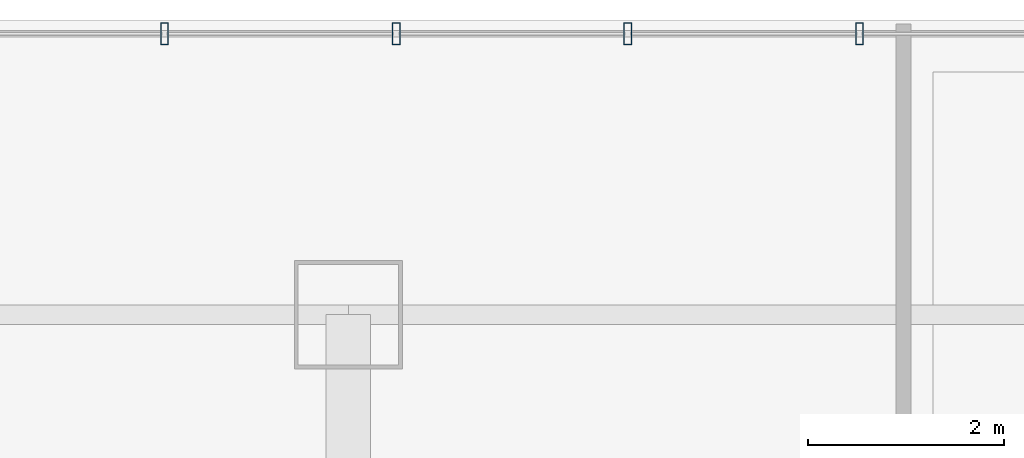
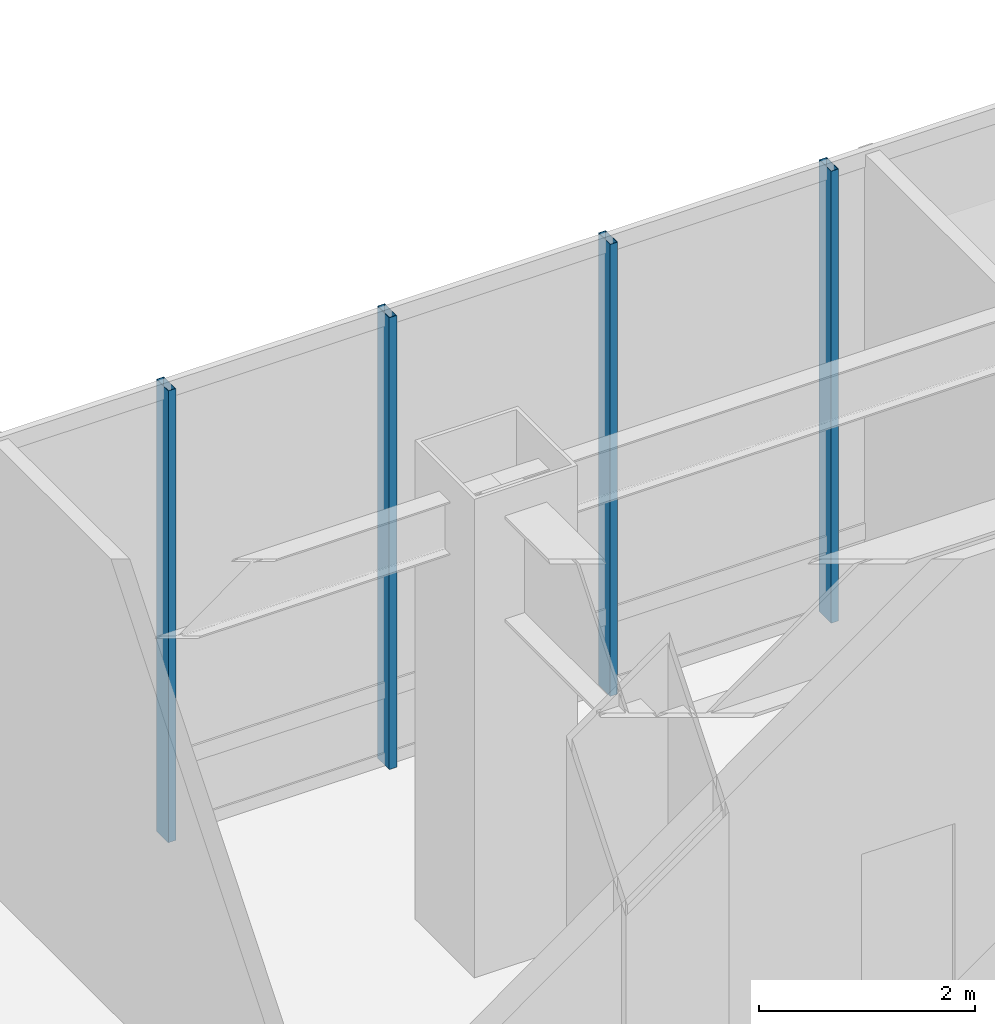
# One storey, part 18 of 35: 4 members, 1 element without a shape of its own.
"""IFC4 building model written with IfcOpenShell, lengths in metres."""

import ifcopenshell
import ifcopenshell.guid

model = None  # the IFC model being written
_history = None  # IfcOwnerHistory: only IFC2X3 demands one
_inside = {}  # id of a spatial element -> (the spatial element, [elements in it])
_under = {}  # id of a project, library or spatial element -> (it, [spatial elements below it])
_declared = {}  # id of a project -> (the project, [libraries it declares])
_typed = {}  # id of a type object -> (the type object, [elements of that type])
_made_of = {}  # id of a material, layer set ... -> (it, [elements and type objects made of it])


def new_model(schema):
    """Start an empty IFC model of exactly this schema.

    Asked for "IFC4X3", IfcOpenShell would pick the latest addendum, in which some entities
    have other attributes; the version numbers below select the first issue.
    IFC2X3 requires an IfcOwnerHistory on every rooted entity: one is made here for all.
    """
    global model, _history
    if schema == "IFC4X3":
        model = ifcopenshell.file(schema_version=(4, 3, 0, 0))
    else:
        model = ifcopenshell.file(schema=schema)
    _inside.clear()
    _under.clear()
    _declared.clear()
    _typed.clear()
    _made_of.clear()
    _history = None
    if model.schema == "IFC2X3":
        org = make("IfcOrganization", Name="unknown")
        user = make(
            "IfcPersonAndOrganization",
            ThePerson=make("IfcPerson", FamilyName="unknown"),
            TheOrganization=org,
        )
        app = make(
            "IfcApplication",
            ApplicationDeveloper=org,
            Version="unknown",
            ApplicationFullName="unknown",
            ApplicationIdentifier="unknown",
        )
        _history = make(
            "IfcOwnerHistory",
            OwningUser=user,
            OwningApplication=app,
            ChangeAction="ADDED",
            CreationDate=0,
        )
    return model


def make(cls, **values):
    """One entity of the class cls with the attributes given. An attribute that is None is left unset."""
    return model.create_entity(
        cls, **{name: value for name, value in values.items() if value is not None}
    )


def rooted(cls, **values):
    """An entity with a GlobalId (a new one), such as an element, a storey or a relation."""
    return make(cls, GlobalId=ifcopenshell.guid.new(), OwnerHistory=_history, **values)


def si_unit(unit_type, name, prefix=None):
    """IfcSIUnit, for example si_unit("LENGTHUNIT", "METRE", prefix="MILLI")."""
    return make("IfcSIUnit", UnitType=unit_type, Prefix=prefix, Name=name)


def assignment(units):
    """IfcUnitAssignment: the units of a project."""
    return None if units is None else make("IfcUnitAssignment", Units=units)


def point(xyz):
    """IfcCartesianPoint."""
    return None if xyz is None else make("IfcCartesianPoint", Coordinates=xyz)


def direction(xyz):
    """IfcDirection."""
    return None if xyz is None else make("IfcDirection", DirectionRatios=xyz)


def frame(location, z_axis=None, x_axis=None):
    """IfcAxis2Placement3D, a coordinate frame: its origin and axes. An axis left out is left unset."""
    return make(
        "IfcAxis2Placement3D",
        Location=point(location),
        Axis=direction(z_axis),
        RefDirection=direction(x_axis),
    )


def frame_2d(location, x_axis=None):
    """IfcAxis2Placement2D, a coordinate frame in the plane: its origin and x axis."""
    return make(
        "IfcAxis2Placement2D", Location=point(location), RefDirection=direction(x_axis)
    )


def origin():
    """The frame at (0, 0, 0) with its axes left unset."""
    return frame((0.0, 0.0, 0.0))


def origin_2d():
    """The frame at (0, 0) in the plane with its x axis left unset."""
    return frame_2d((0.0, 0.0))


def place(relative_to, where):
    """IfcLocalPlacement: puts the frame where relative to a parent placement (None: the world)."""
    return make(
        "IfcLocalPlacement", PlacementRelTo=relative_to, RelativePlacement=where
    )


def context(
    kind, dimensions, precision=None, world=None, true_north=None, identifier=None
):
    """IfcGeometricRepresentationContext, for example the 3D "Model" context."""
    return make(
        "IfcGeometricRepresentationContext",
        ContextIdentifier=identifier,
        ContextType=kind,
        CoordinateSpaceDimension=dimensions,
        Precision=precision,
        WorldCoordinateSystem=world,
        TrueNorth=true_north,
    )


def subcontext(parent, identifier, kind, view, scale=None):
    """IfcGeometricRepresentationSubContext, for example "Body" below "Model"."""
    return make(
        "IfcGeometricRepresentationSubContext",
        ContextIdentifier=identifier,
        ContextType=kind,
        ParentContext=parent,
        TargetScale=scale,
        TargetView=view,
    )


def project(units=None, contexts=None):
    """IfcProject with its units and contexts."""
    return rooted(
        "IfcProject",
        Name="project",
        RepresentationContexts=contexts,
        UnitsInContext=assignment(units),
    )


def spatial(cls, under=None, at=None, **own):
    """A site, building, storey or space (cls), placed at a placement, below another one or the project."""
    s = rooted(cls, ObjectPlacement=at, **own)
    if under is not None:
        _under.setdefault(under.id(), (under, []))[1].append(s)
    return s


def profile(cls, at=None, kind="AREA", **sizes):
    """A parametric profile (cls). Its sizes go by their IFC names, for example OverallWidth=200.0."""
    return make(cls, ProfileType=kind, Position=at, **sizes)


def hollow_rectangle(**sizes):
    """IfcRectangleHollowProfileDef."""
    return profile("IfcRectangleHollowProfileDef", **sizes)


def extrude(swept, where, along, depth):
    """IfcExtrudedAreaSolid: the profile swept, set in the frame where, extruded along a direction by depth."""
    return make(
        "IfcExtrudedAreaSolid",
        SweptArea=swept,
        Position=where,
        ExtrudedDirection=direction(along),
        Depth=depth,
    )


def shape(context_of_items, identifier, shape_type, items):
    """IfcShapeRepresentation: the items that make up one representation, for example the "Body"."""
    return make(
        "IfcShapeRepresentation",
        ContextOfItems=context_of_items,
        RepresentationIdentifier=identifier,
        RepresentationType=shape_type,
        Items=items,
    )


def material(Name=None, Category=None):
    """IfcMaterial."""
    return make("IfcMaterial", Name=Name, Category=Category)


def layer(
    of_material, thickness, ventilated=None, Name=None, Category=None, Priority=None
):
    """IfcMaterialLayer: one layer of a wall or slab, of a material (None: an air gap)."""
    return make(
        "IfcMaterialLayer",
        Material=of_material,
        LayerThickness=thickness,
        IsVentilated=ventilated,
        Name=Name,
        Category=Category,
        Priority=Priority,
    )


def layer_set(layers, Name=None):
    """IfcMaterialLayerSet."""
    return make("IfcMaterialLayerSet", MaterialLayers=layers, LayerSetName=Name)


def material_profile(
    of_material, cross_section, Name=None, Category=None, Priority=None
):
    """IfcMaterialProfile: a cross section and its material."""
    return make(
        "IfcMaterialProfile",
        Name=Name,
        Material=of_material,
        Profile=cross_section,
        Priority=Priority,
        Category=Category,
    )


def profile_set(profiles, Name=None, composite=None):
    """IfcMaterialProfileSet."""
    return make(
        "IfcMaterialProfileSet",
        Name=Name,
        MaterialProfiles=profiles,
        CompositeProfile=composite,
    )


def made_of(thing, what):
    """Note that an element or type object is made of a material, layer set ...; save() writes the relation."""
    if what is not None:
        _made_of.setdefault(what.id(), (what, []))[1].append(thing)
    return thing


def type_object(cls, material=None, **own):
    """A type object (cls), such as IfcWallType, which elements share."""
    return made_of(rooted(cls, **own), material)


def element(
    cls,
    number,
    at=None,
    inside=None,
    cuts=None,
    type_object=None,
    material=None,
    context=None,
    identifier="Body",
    shape_type=None,
    held_by="IfcProductDefinitionShape",
    body=None,
    shapes=None,
    **own,
):
    """One element of the class cls, such as IfcWall. Its Tag is "e" and its number.

    at: its placement. inside: the storey or other place that contains it. cuts: it is an
    opening in that element (IfcRelVoidsElement). A single representation is given by context,
    identifier, shape_type and body (its items); several are given by shapes. held_by: the class
    of the entity that holds the representations. save() writes the other relations.
    """
    e = rooted(cls, Tag="e%d" % number, ObjectPlacement=at, **own)
    if body is not None:
        shapes = [shape(context, identifier, shape_type, body)]
    if shapes is not None:
        e.Representation = make(held_by, Representations=shapes)
    if inside is not None:
        _inside.setdefault(inside.id(), (inside, []))[1].append(e)
    if cuts is not None:
        rooted(
            "IfcRelVoidsElement", RelatingBuildingElement=cuts, RelatedOpeningElement=e
        )
    if type_object is not None:
        _typed.setdefault(type_object.id(), (type_object, []))[1].append(e)
    return made_of(e, material)


def aggregate(whole, parts):
    """IfcRelAggregates: a whole, such as a stair, and the parts it consists of."""
    return rooted("IfcRelAggregates", RelatingObject=whole, RelatedObjects=parts)


def save(model, path):
    """Write the relations noted so far, then the file.

    IfcRelAggregates (storeys below a building ...), IfcRelContainedInSpatialStructure (elements
    in a storey), IfcRelDefinesByType, IfcRelAssociatesMaterial and IfcRelDeclares: one each for
    every whole, place, type object, material and project.
    """
    for whole, parts in _under.values():
        aggregate(whole, parts)
    for where, things in _inside.values():
        rooted(
            "IfcRelContainedInSpatialStructure",
            RelatedElements=things,
            RelatingStructure=where,
        )
    for kind, things in _typed.values():
        rooted("IfcRelDefinesByType", RelatedObjects=things, RelatingType=kind)
    for what, things in _made_of.values():
        rooted("IfcRelAssociatesMaterial", RelatedObjects=things, RelatingMaterial=what)
    for by, libraries in _declared.values():
        rooted("IfcRelDeclares", RelatingContext=by, RelatedDefinitions=libraries)
    model.write(path)


model = new_model("IFC4")

# Units and contexts
model_context = context("Model", 3, precision=1e-05, world=origin(), true_north=direction((0.0, 1.0)))
body_context = subcontext(model_context, "Body", "Model", "MODEL_VIEW")
ifc_project = project(units=[si_unit("LENGTHUNIT", "METRE"), si_unit("AREAUNIT", "SQUARE_METRE"), si_unit("VOLUMEUNIT", "CUBIC_METRE"), si_unit("PLANEANGLEUNIT", "RADIAN"), si_unit("MASSUNIT", "GRAM", prefix="KILO")], contexts=[model_context])

# Site, building, storey
site_placement = place(None, origin())
site = spatial("IfcSite", under=ifc_project, at=site_placement, CompositionType="ELEMENT")
building_placement = place(site_placement, origin())
building = spatial("IfcBuilding", under=site, at=building_placement, Name="Hatsunagi Terrace Concourse", CompositionType="ELEMENT")
storey_placement = place(building_placement, frame((0.0, 0.0, 16.199951171875)))
storey = spatial("IfcBuildingStorey", under=building, at=storey_placement, Name="L04", CompositionType="ELEMENT", Elevation=16.199951171875)

# Curtain wall, members
ifc_material_1 = material(Name="Anodised Aluminium Alloy 6063-T5", Category="aluminium")
ifc_layer = layer(ifc_material_1, 0.199951171875)
ifc_layer_set = layer_set([ifc_layer], Name="PodiumStorefront_CW01")
curtain_wall_type = type_object("IfcCurtainWallType", Name="PodiumStorefront_CW01", PredefinedType="NOTDEFINED", material=ifc_layer_set)
curtain_wall_placement = place(storey_placement, origin())
curtain_wall = element("IfcCurtainWall", 1, at=curtain_wall_placement, inside=storey, type_object=curtain_wall_type, Name="Unitised Curtain Wall CW-01 CW-L04-12", PredefinedType="NOTDEFINED")
ifc_material_2 = material(Name="Anodised Aluminium Alloy 6063-T5", Category="aluminium")
ifc_material_profile = material_profile(ifc_material_2, hollow_rectangle(XDim=0.080078125, YDim=0.219970703125, WallThickness=0.0048828125, at=origin_2d()), Name="ALU-MUL-220x80x5")
ifc_profile_set = profile_set([ifc_material_profile], Name="Anodised Aluminium Alloy 6063-T5")
member_type = type_object("IfcMemberType", Name="CurtainWallMullion_Heavy_220x80", PredefinedType="MULLION", material=ifc_profile_set)
member_1_placement = place(storey_placement, frame((23.678955078125, 51.4599609375, 0.0), z_axis=(0.0, 0.0, 1.0), x_axis=(1.0, 0.0, 0.0)))
member_1 = element("IfcMember", 2, at=member_1_placement, type_object=member_type, Name="Curtain Wall Mullion MUL-01", PredefinedType="MULLION", context=body_context, shape_type="SweptSolid", body=[
    extrude(hollow_rectangle(XDim=0.080078125, YDim=0.219970703125, WallThickness=0.0048828125, at=origin_2d()), origin(), (0.0, 0.0, 1.0), 5.10009765625),
])
member_2_placement = place(storey_placement, frame((26.037109375, 51.4599609375, 0.0), z_axis=(0.0, 0.0, 1.0), x_axis=(1.0, 0.0, 0.0)))
member_2 = element("IfcMember", 3, at=member_2_placement, type_object=member_type, Name="Curtain Wall Mullion MUL-01", PredefinedType="MULLION", context=body_context, shape_type="SweptSolid", body=[
    extrude(hollow_rectangle(XDim=0.080078125, YDim=0.219970703125, WallThickness=0.0048828125, at=origin_2d()), origin(), (0.0, 0.0, 1.0), 5.10009765625),
])
member_3_placement = place(storey_placement, frame((28.39501953125, 51.4599609375, 0.0), z_axis=(0.0, 0.0, 1.0), x_axis=(1.0, 0.0, 0.0)))
member_3 = element("IfcMember", 4, at=member_3_placement, type_object=member_type, Name="Curtain Wall Mullion MUL-01", PredefinedType="MULLION", context=body_context, shape_type="SweptSolid", body=[
    extrude(hollow_rectangle(XDim=0.080078125, YDim=0.219970703125, WallThickness=0.0048828125, at=origin_2d()), origin(), (0.0, 0.0, 1.0), 5.10009765625),
])
member_4_placement = place(storey_placement, frame((30.7529296875, 51.4599609375, 0.0), z_axis=(0.0, 0.0, 1.0), x_axis=(1.0, 0.0, 0.0)))
member_4 = element("IfcMember", 5, at=member_4_placement, type_object=member_type, Name="Curtain Wall Mullion MUL-01", PredefinedType="MULLION", context=body_context, shape_type="SweptSolid", body=[
    extrude(hollow_rectangle(XDim=0.080078125, YDim=0.219970703125, WallThickness=0.0048828125, at=origin_2d()), origin(), (0.0, 0.0, 1.0), 5.10009765625),
])
aggregate(curtain_wall, [member_1, member_2, member_3, member_4])

save(model, "model.ifc")
